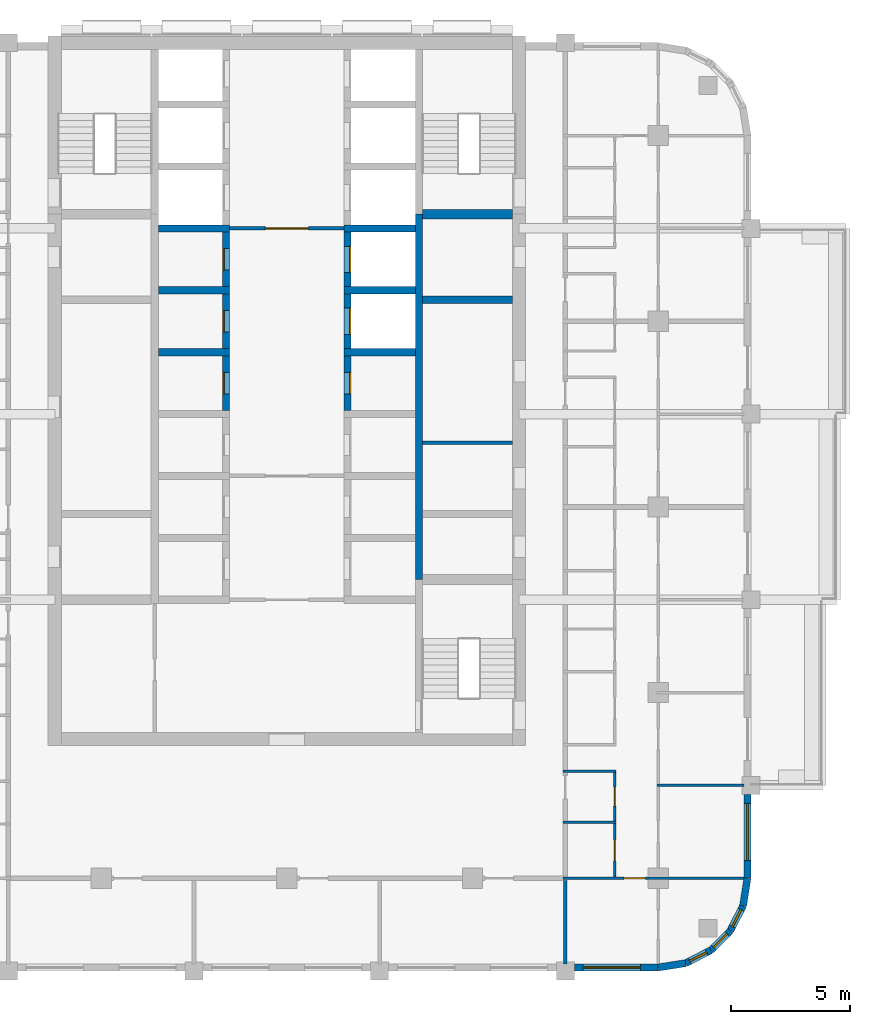
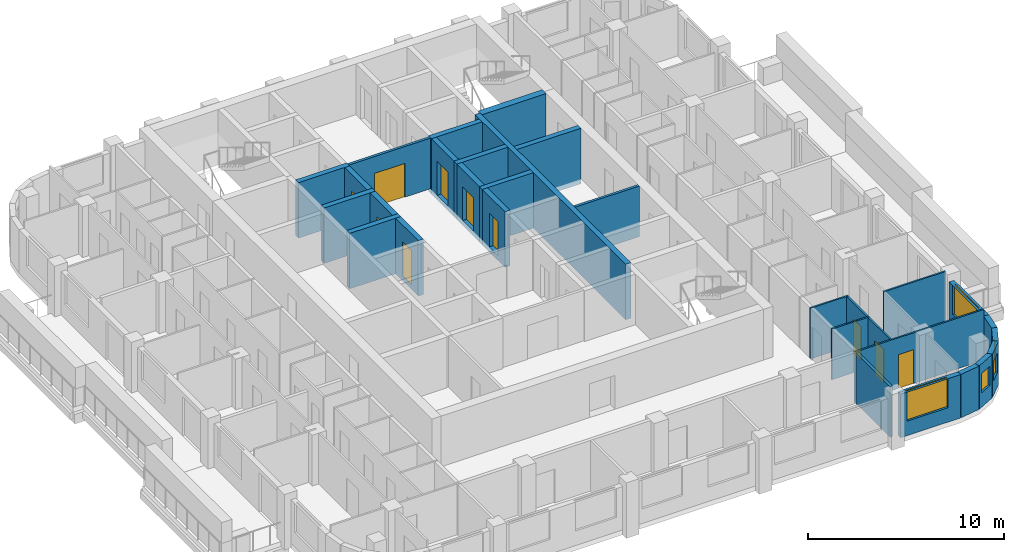
# One storey, part 5 of 13: 30 walls, 10 doors, 5 windows, 15 openings.
"""IFC4 building model written with IfcOpenShell, lengths in metres."""

from ifc_helpers import new_model, si_unit, direction, frame, frame_2d, origin, place, context, subcontext, project, spatial, rectangle, extrude, material, layer, layer_set, type_object, element, fill, save


model = new_model("IFC4")

# Units and contexts
model_context = context("Model", 3, precision=1e-05, world=origin(), true_north=direction((0.0, 1.0)))
body_context = subcontext(model_context, "Body", "Model", "MODEL_VIEW")
ifc_project = project(units=[si_unit("LENGTHUNIT", "METRE"), si_unit("AREAUNIT", "SQUARE_METRE"), si_unit("VOLUMEUNIT", "CUBIC_METRE"), si_unit("PLANEANGLEUNIT", "RADIAN"), si_unit("MASSUNIT", "GRAM", prefix="KILO")], contexts=[model_context])

# Site, building, storey
site_placement = place(None, origin())
site = spatial("IfcSite", under=ifc_project, at=site_placement, CompositionType="ELEMENT")
building_placement = place(site_placement, origin())
building = spatial("IfcBuilding", under=site, at=building_placement, Name="Ludao Terraces", CompositionType="ELEMENT")
storey_placement = place(building_placement, frame((0.0, 0.0, 148.60009765625)))
storey = spatial("IfcBuildingStorey", under=building, at=storey_placement, Name="L40", CompositionType="ELEMENT", Elevation=148.60009765625)

# Wall, opening, window
ifc_material_1 = material(Name="Granite cladding", Category="masonry")
ifc_layer_1 = layer(ifc_material_1, 0.0400390625, Category="stone")
ifc_material_2 = material(Name="Mineral wool")
ifc_layer_2 = layer(ifc_material_2, 0.06005859375)
ifc_material_3 = material(Name="Concrete C40", Category="concrete")
ifc_layer_3 = layer(ifc_material_3, 0.199951171875, Category="concrete")
ifc_layer_set_1 = layer_set([ifc_layer_1, ifc_layer_2, ifc_layer_3], Name="ENV Stone-clad wall 300")
wall_type_1 = type_object("IfcWallType", Name="ENV Stone-clad wall 300", PredefinedType="SOLIDWALL", material=ifc_layer_set_1)
wall_1_placement = place(storey_placement, frame((97.074951171875, 45.64990234375, 0.0), z_axis=(0.0, 0.0, 1.0), x_axis=(1.0, 0.0, 0.0)))
wall_1 = element("IfcWall", 1, at=wall_1_placement, inside=storey, type_object=wall_type_1, Name="EW-L40-S5", PredefinedType="SOLIDWALL", context=body_context, shape_type="SweptSolid", body=[
    extrude(rectangle(XDim=3.525146484375, YDim=0.300048828125, at=frame_2d((1.7626953125, 0.0))), origin(), (0.0, 0.0, 1.0), 2.699951171875),
])
opening_1_placement = place(wall_1_placement, frame((0.375, 0.0, 0.89990234375)))
opening_1 = element("IfcOpeningElement", 2, at=opening_1_placement, cuts=wall_1, Name="Opening W1", PredefinedType="OPENING", context=body_context, shape_type="SweptSolid", body=[
    extrude(rectangle(XDim=2.39990234375, YDim=1.800048828125, at=frame_2d((1.199951171875, 0.89990234375))), frame((0.0, 0.16015625, 0.0), z_axis=(0.0, -1.0, 0.0), x_axis=(1.0, 0.0, 0.0)), (0.0, 0.0, 1.0), 0.320068359375),
])
ifc_material_4 = material(Name="Clear glass in aluminium frame", Category="aluminium")
ifc_layer_4 = layer(ifc_material_4, 0.06005859375)
ifc_layer_set_2 = layer_set([ifc_layer_4], Name="ENV Window W1 2400x1800")
window_type_1 = type_object("IfcWindowType", Name="ENV Window W1 2400x1800", PartitioningType="DOUBLE_PANEL_VERTICAL", PredefinedType="WINDOW", material=ifc_layer_set_2)
window_1_placement = place(opening_1_placement, origin())
window_1 = element("IfcWindow", 3, at=window_1_placement, inside=storey, type_object=window_type_1, Name="W-L40-S5-1", OverallHeight=1.800048828125, OverallWidth=2.39990234375, PartitioningType="DOUBLE_PANEL_VERTICAL", PredefinedType="WINDOW", context=body_context, shape_type="SweptSolid", body=[
    extrude(rectangle(XDim=2.39990234375, YDim=1.800048828125, at=frame_2d((1.199951171875, 0.89990234375))), frame((0.0, 0.030029296875, 0.0), z_axis=(0.0, -1.0, 0.0), x_axis=(1.0, 0.0, 0.0)), (0.0, 0.0, 1.0), 0.06005859375),
])
fill(opening_1, window_1)

wall_2_placement = place(storey_placement, frame((104.35009765625, 49.39990234375, 0.0), z_axis=(0.0, 0.0, 1.0), x_axis=(0.0, 1.0, 0.0)))
wall_2 = element("IfcWall", 4, at=wall_2_placement, inside=storey, type_object=wall_type_1, Name="EW-L40-E1", PredefinedType="SOLIDWALL", context=body_context, shape_type="SweptSolid", body=[
    extrude(rectangle(XDim=3.525146484375, YDim=0.300048828125, at=frame_2d((1.7626953125, 0.0))), origin(), (0.0, 0.0, 1.0), 2.699951171875),
])
opening_2_placement = place(wall_2_placement, frame((0.75, 0.0, 0.89990234375)))
opening_2 = element("IfcOpeningElement", 5, at=opening_2_placement, cuts=wall_2, Name="Opening W1", PredefinedType="OPENING", context=body_context, shape_type="SweptSolid", body=[
    extrude(rectangle(XDim=2.39990234375, YDim=1.800048828125, at=frame_2d((1.199951171875, 0.89990234375))), frame((0.0, 0.16015625, 0.0), z_axis=(0.0, -1.0, 0.0), x_axis=(1.0, 0.0, 0.0)), (0.0, 0.0, 1.0), 0.320068359375),
])
window_2_placement = place(opening_2_placement, origin())
window_2 = element("IfcWindow", 6, at=window_2_placement, inside=storey, type_object=window_type_1, Name="W-L40-E1-1", OverallHeight=1.800048828125, OverallWidth=2.39990234375, PartitioningType="DOUBLE_PANEL_VERTICAL", PredefinedType="WINDOW", context=body_context, shape_type="SweptSolid", body=[
    extrude(rectangle(XDim=2.39990234375, YDim=1.800048828125, at=frame_2d((1.199951171875, 0.89990234375))), frame((0.0, 0.030029296875, 0.0), z_axis=(0.0, -1.0, 0.0), x_axis=(1.0, 0.0, 0.0)), (0.0, 0.0, 1.0), 0.06005859375),
])
fill(opening_2, window_2)

# Wall
wall_3_placement = place(storey_placement, frame((100.60009765625, 45.64990234375, 0.0), z_axis=(0.0, 0.0, 1.0), x_axis=(0.987678452879, 0.156496880861, 0.0)))
element("IfcWall", 7, at=wall_3_placement, inside=storey, type_object=wall_type_1, Name="EW-L40-SE1", PredefinedType="SOLIDWALL", context=body_context, shape_type="SweptSolid", body=[
    extrude(rectangle(XDim=1.173095703125, YDim=0.300048828125, at=frame_2d((0.58642578125, 0.0))), origin(), (0.0, 0.0, 1.0), 2.699951171875),
])

# Wall, opening, window
wall_4_placement = place(storey_placement, frame((101.7587890625, 45.83349609375, 0.0), z_axis=(0.0, 0.0, 1.0), x_axis=(0.890988677504, 0.454025524128, 0.0)))
wall_4 = element("IfcWall", 8, at=wall_4_placement, inside=storey, type_object=wall_type_1, Name="EW-L40-SE2", PredefinedType="SOLIDWALL", context=body_context, shape_type="SweptSolid", body=[
    extrude(rectangle(XDim=1.17333984375, YDim=0.300048828125, at=frame_2d((0.586669921875, 0.0))), origin(), (0.0, 0.0, 1.0), 2.699951171875),
])
opening_3_placement = place(wall_4_placement, frame((0.1865234375, 0.0, 0.89990234375)))
opening_3 = element("IfcOpeningElement", 9, at=opening_3_placement, cuts=wall_4, Name="Opening W3", PredefinedType="OPENING", context=body_context, shape_type="SweptSolid", body=[
    extrude(rectangle(XDim=0.800048828125, YDim=1.199951171875, at=frame_2d((0.39990234375, 0.60009765625))), frame((0.0, 0.16015625, 0.0), z_axis=(0.0, -1.0, 0.0), x_axis=(1.0, 0.0, 0.0)), (0.0, 0.0, 1.0), 0.320068359375),
])
ifc_layer_5 = layer(ifc_material_4, 0.06005859375)
ifc_layer_set_3 = layer_set([ifc_layer_5], Name="ENV Window W3 800x1200")
window_type_2 = type_object("IfcWindowType", Name="ENV Window W3 800x1200", PartitioningType="SINGLE_PANEL", PredefinedType="WINDOW", material=ifc_layer_set_3)
window_3_placement = place(opening_3_placement, origin())
window_3 = element("IfcWindow", 10, at=window_3_placement, inside=storey, type_object=window_type_2, Name="W-L40-SE2", OverallHeight=1.199951171875, OverallWidth=0.800048828125, PartitioningType="SINGLE_PANEL", PredefinedType="WINDOW", context=body_context, shape_type="SweptSolid", body=[
    extrude(rectangle(XDim=0.800048828125, YDim=1.199951171875, at=frame_2d((0.39990234375, 0.60009765625))), frame((0.0, 0.030029296875, 0.0), z_axis=(0.0, -1.0, 0.0), x_axis=(1.0, 0.0, 0.0)), (0.0, 0.0, 1.0), 0.06005859375),
])
fill(opening_3, window_3)

wall_5_placement = place(storey_placement, frame((102.80419921875, 46.3662109375, 0.0), z_axis=(0.0, 0.0, 1.0), x_axis=(0.707106781187, 0.707106781187, 0.0)))
wall_5 = element("IfcWall", 11, at=wall_5_placement, inside=storey, type_object=wall_type_1, Name="EW-L40-SE3", PredefinedType="SOLIDWALL", context=body_context, shape_type="SweptSolid", body=[
    extrude(rectangle(XDim=1.173095703125, YDim=0.300048828125, at=frame_2d((0.58642578125, 0.0))), origin(), (0.0, 0.0, 1.0), 2.699951171875),
])
opening_4_placement = place(wall_5_placement, frame((0.1865234375, 0.0, 0.89990234375)))
opening_4 = element("IfcOpeningElement", 12, at=opening_4_placement, cuts=wall_5, Name="Opening W3", PredefinedType="OPENING", context=body_context, shape_type="SweptSolid", body=[
    extrude(rectangle(XDim=0.800048828125, YDim=1.199951171875, at=frame_2d((0.39990234375, 0.60009765625))), frame((0.0, 0.16015625, 0.0), z_axis=(0.0, -1.0, 0.0), x_axis=(1.0, 0.0, 0.0)), (0.0, 0.0, 1.0), 0.320068359375),
])
window_4_placement = place(opening_4_placement, origin())
window_4 = element("IfcWindow", 13, at=window_4_placement, inside=storey, type_object=window_type_2, Name="W-L40-SE3", OverallHeight=1.199951171875, OverallWidth=0.800048828125, PartitioningType="SINGLE_PANEL", PredefinedType="WINDOW", context=body_context, shape_type="SweptSolid", body=[
    extrude(rectangle(XDim=0.800048828125, YDim=1.199951171875, at=frame_2d((0.39990234375, 0.60009765625))), frame((0.0, 0.030029296875, 0.0), z_axis=(0.0, -1.0, 0.0), x_axis=(1.0, 0.0, 0.0)), (0.0, 0.0, 1.0), 0.06005859375),
])
fill(opening_4, window_4)

wall_6_placement = place(storey_placement, frame((103.6337890625, 47.19580078125, 0.0), z_axis=(0.0, 0.0, 1.0), x_axis=(0.454025524128, 0.890988677504, 0.0)))
wall_6 = element("IfcWall", 14, at=wall_6_placement, inside=storey, type_object=wall_type_1, Name="EW-L40-SE4", PredefinedType="SOLIDWALL", context=body_context, shape_type="SweptSolid", body=[
    extrude(rectangle(XDim=1.17333984375, YDim=0.300048828125, at=frame_2d((0.586669921875, 0.0))), origin(), (0.0, 0.0, 1.0), 2.699951171875),
])
opening_5_placement = place(wall_6_placement, frame((0.1865234375, 0.0, 0.89990234375)))
opening_5 = element("IfcOpeningElement", 15, at=opening_5_placement, cuts=wall_6, Name="Opening W3", PredefinedType="OPENING", context=body_context, shape_type="SweptSolid", body=[
    extrude(rectangle(XDim=0.800048828125, YDim=1.199951171875, at=frame_2d((0.39990234375, 0.60009765625))), frame((0.0, 0.16015625, 0.0), z_axis=(0.0, -1.0, 0.0), x_axis=(1.0, 0.0, 0.0)), (0.0, 0.0, 1.0), 0.320068359375),
])
window_5_placement = place(opening_5_placement, origin())
window_5 = element("IfcWindow", 16, at=window_5_placement, inside=storey, type_object=window_type_2, Name="W-L40-SE4", OverallHeight=1.199951171875, OverallWidth=0.800048828125, PartitioningType="SINGLE_PANEL", PredefinedType="WINDOW", context=body_context, shape_type="SweptSolid", body=[
    extrude(rectangle(XDim=0.800048828125, YDim=1.199951171875, at=frame_2d((0.39990234375, 0.60009765625))), frame((0.0, 0.030029296875, 0.0), z_axis=(0.0, -1.0, 0.0), x_axis=(1.0, 0.0, 0.0)), (0.0, 0.0, 1.0), 0.06005859375),
])
fill(opening_5, window_5)

# Walls
wall_7_placement = place(storey_placement, frame((104.16650390625, 48.2412109375, 0.0), z_axis=(0.0, 0.0, 1.0), x_axis=(0.156496880861, 0.987678452879, 0.0)))
element("IfcWall", 17, at=wall_7_placement, inside=storey, type_object=wall_type_1, Name="EW-L40-SE5", PredefinedType="SOLIDWALL", context=body_context, shape_type="SweptSolid", body=[
    extrude(rectangle(XDim=1.173095703125, YDim=0.300048828125, at=frame_2d((0.58642578125, 0.0))), origin(), (0.0, 0.0, 1.0), 2.699951171875),
])
ifc_material_5 = material(Name="Fire-rated gypsum plasterboard", Category="gypsum")
ifc_layer_6 = layer(ifc_material_5, 0.012451171875, Category="gypsum")
ifc_layer_7 = layer(ifc_material_2, 0.10009765625, Name="insulation")
ifc_material_6 = material(Name="Steel Q235", Category="steel")
ifc_layer_8 = layer(ifc_material_6, 0.02490234375, Name="stud")
ifc_layer_9 = layer(ifc_material_5, 0.012451171875, Category="gypsum")
ifc_layer_set_4 = layer_set([ifc_layer_6, ifc_layer_7, ifc_layer_8, ifc_layer_9], Name="INT Core partition 150")
wall_type_2 = type_object("IfcWallType", Name="INT Core partition 150", PredefinedType="PARTITIONING", material=ifc_layer_set_4)
wall_8_placement = place(storey_placement, frame((90.7001953125, 67.699951171875, 0.0), z_axis=(0.0, 0.0, 1.0), x_axis=(1.0, 0.0, 0.0)))
element("IfcWall", 18, at=wall_8_placement, inside=storey, type_object=wall_type_2, Name="PW-L40-PW027", PredefinedType="PARTITIONING", context=body_context, shape_type="SweptSolid", body=[
    extrude(rectangle(XDim=3.77490234375, YDim=0.14990234375, at=frame_2d((1.887451171875, 0.0))), origin(), (0.0, 0.0, 1.0), 3.14990234375),
])

# Wall, opening, door
wall_9_placement = place(storey_placement, frame((82.60009765625, 76.699951171875, 0.0), z_axis=(0.0, 0.0, 1.0), x_axis=(1.0, 0.0, 0.0)))
wall_9 = element("IfcWall", 19, at=wall_9_placement, inside=storey, type_object=wall_type_2, Name="PW-L40-PW040", PredefinedType="PARTITIONING", context=body_context, shape_type="SweptSolid", body=[
    extrude(rectangle(XDim=4.800048828125, YDim=0.14990234375, at=frame_2d((2.39990234375, 0.0))), origin(), (0.0, 0.0, 1.0), 3.14990234375),
])
opening_6_placement = place(wall_9_placement, frame((1.5, 0.0, 0.0)))
opening_6 = element("IfcOpeningElement", 20, at=opening_6_placement, cuts=wall_9, Name="Opening R14-074", PredefinedType="OPENING", context=body_context, shape_type="SweptSolid", body=[
    extrude(rectangle(XDim=1.800048828125, YDim=2.10009765625, at=frame_2d((0.89990234375, 1.050048828125))), frame((0.0, 0.0849609375, 0.0), z_axis=(0.0, -1.0, 0.0), x_axis=(1.0, 0.0, 0.0)), (0.0, 0.0, 1.0), 0.169921875),
])
door_type_1 = type_object("IfcDoorType", Name="INT Fire lobby door 1800", OperationType="DOUBLE_DOOR_SINGLE_SWING", PredefinedType="DOOR", material=ifc_material_6)
door_1_placement = place(opening_6_placement, origin())
door_1 = element("IfcDoor", 21, at=door_1_placement, inside=storey, type_object=door_type_1, Name="DOOR 074", OperationType="DOUBLE_DOOR_SINGLE_SWING", OverallHeight=2.10009765625, OverallWidth=1.800048828125, PredefinedType="DOOR", context=body_context, shape_type="SweptSolid", body=[
    extrude(rectangle(XDim=1.800048828125, YDim=2.10009765625, at=frame_2d((0.89990234375, 1.050048828125))), frame((0.0, 0.02490234375, 0.0), z_axis=(0.0, -1.0, 0.0), x_axis=(1.0, 0.0, 0.0)), (0.0, 0.0, 1.0), 0.050048828125),
])
fill(opening_6, door_1)

ifc_material_7 = material(Name="Gypsum plasterboard", Category="gypsum")
ifc_layer_10 = layer(ifc_material_7, 0.012451171875, Category="gypsum")
ifc_layer_11 = layer(ifc_material_2, 0.06005859375, Name="insulation")
ifc_layer_12 = layer(ifc_material_6, 0.014892578125, Name="stud")
ifc_layer_13 = layer(ifc_material_7, 0.012451171875, Category="gypsum")
ifc_layer_set_5 = layer_set([ifc_layer_10, ifc_layer_11, ifc_layer_12, ifc_layer_13], Name="INT Partition 100")
wall_type_3 = type_object("IfcWallType", Name="INT Partition 100", PredefinedType="PARTITIONING", material=ifc_layer_set_5)
wall_10_placement = place(storey_placement, frame((96.60009765625, 49.39990234375, 0.0), z_axis=(0.0, 0.0, 1.0), x_axis=(1.0, 0.0, 0.0)))
wall_10 = element("IfcWall", 22, at=wall_10_placement, inside=storey, type_object=wall_type_3, Name="PW-L40-PW002", PredefinedType="PARTITIONING", context=body_context, shape_type="SweptSolid", body=[
    extrude(rectangle(XDim=7.60009765625, YDim=0.10009765625, at=frame_2d((3.800048828125, 0.0))), origin(), (0.0, 0.0, 1.0), 3.14990234375),
])
opening_7_placement = place(wall_10_placement, frame((2.56005859375, 0.0, 0.0)))
opening_7 = element("IfcOpeningElement", 23, at=opening_7_placement, cuts=wall_10, Name="Opening R14-007", PredefinedType="OPENING", context=body_context, shape_type="SweptSolid", body=[
    extrude(rectangle(XDim=0.89990234375, YDim=2.10009765625, at=frame_2d((0.449951171875, 1.050048828125))), frame((0.0, 0.06005859375, 0.0), z_axis=(0.0, -1.0, 0.0), x_axis=(1.0, 0.0, 0.0)), (0.0, 0.0, 1.0), 0.1201171875),
])
ifc_material_8 = material(Name="Timber door leaf", Category="wood")
door_type_2 = type_object("IfcDoorType", Name="INT Room door 900", OperationType="SINGLE_SWING_LEFT", PredefinedType="DOOR", material=ifc_material_8)
door_2_placement = place(opening_7_placement, origin())
door_2 = element("IfcDoor", 24, at=door_2_placement, inside=storey, type_object=door_type_2, Name="DOOR 007", OperationType="SINGLE_SWING_LEFT", OverallHeight=2.10009765625, OverallWidth=0.89990234375, PredefinedType="DOOR", context=body_context, shape_type="SweptSolid", body=[
    extrude(rectangle(XDim=0.89990234375, YDim=2.10009765625, at=frame_2d((0.449951171875, 1.050048828125))), frame((0.0, 0.02490234375, 0.0), z_axis=(0.0, -1.0, 0.0), x_axis=(1.0, 0.0, 0.0)), (0.0, 0.0, 1.0), 0.050048828125),
])
fill(opening_7, door_2)

# Walls
wall_11_placement = place(storey_placement, frame((96.60009765625, 51.75, 0.0), z_axis=(0.0, 0.0, 1.0), x_axis=(1.0, 0.0, 0.0)))
element("IfcWall", 25, at=wall_11_placement, inside=storey, type_object=wall_type_3, Name="PW-L40-PW004", PredefinedType="PARTITIONING", context=body_context, shape_type="SweptSolid", body=[
    extrude(rectangle(XDim=2.219970703125, YDim=0.10009765625, at=frame_2d((1.10986328125, 0.0))), origin(), (0.0, 0.0, 1.0), 3.14990234375),
])
wall_12_placement = place(storey_placement, frame((100.550048828125, 53.300048828125, 0.0), z_axis=(0.0, 0.0, 1.0), x_axis=(1.0, 0.0, 0.0)))
element("IfcWall", 26, at=wall_12_placement, inside=storey, type_object=wall_type_3, Name="PW-L40-PW005", PredefinedType="PARTITIONING", context=body_context, shape_type="SweptSolid", body=[
    extrude(rectangle(XDim=3.650146484375, YDim=0.10009765625, at=frame_2d((1.8251953125, 0.0))), origin(), (0.0, 0.0, 1.0), 3.14990234375),
])
wall_13_placement = place(storey_placement, frame((96.60009765625, 53.89990234375, 0.0), z_axis=(0.0, 0.0, 1.0), x_axis=(1.0, 0.0, 0.0)))
element("IfcWall", 27, at=wall_13_placement, inside=storey, type_object=wall_type_3, Name="PW-L40-PW007", PredefinedType="PARTITIONING", context=body_context, shape_type="SweptSolid", body=[
    extrude(rectangle(XDim=2.219970703125, YDim=0.10009765625, at=frame_2d((1.10986328125, 0.0))), origin(), (0.0, 0.0, 1.0), 3.14990234375),
])

# Wall, openings, doors
wall_14_placement = place(storey_placement, frame((98.77001953125, 49.4501953125, 0.0), z_axis=(0.0, 0.0, 1.0), x_axis=(0.0, 1.0, 0.0)))
wall_14 = element("IfcWall", 28, at=wall_14_placement, inside=storey, type_object=wall_type_3, Name="PW-L40-PW060", PredefinedType="PARTITIONING", context=body_context, shape_type="SweptSolid", body=[
    extrude(rectangle(XDim=4.39990234375, YDim=0.10009765625, at=frame_2d((2.199951171875, 0.0))), origin(), (0.0, 0.0, 1.0), 3.14990234375),
])
opening_8_placement = place(wall_14_placement, frame((0.6748046875, 0.0, 0.0)))
opening_8 = element("IfcOpeningElement", 29, at=opening_8_placement, cuts=wall_14, Name="Opening R14-009", PredefinedType="OPENING", context=body_context, shape_type="SweptSolid", body=[
    extrude(rectangle(XDim=0.89990234375, YDim=2.10009765625, at=frame_2d((0.449951171875, 1.050048828125))), frame((0.0, 0.06005859375, 0.0), z_axis=(0.0, -1.0, 0.0), x_axis=(1.0, 0.0, 0.0)), (0.0, 0.0, 1.0), 0.1201171875),
])
opening_9_placement = place(wall_14_placement, frame((2.974853515625, 0.0, 0.0)))
opening_9 = element("IfcOpeningElement", 30, at=opening_9_placement, cuts=wall_14, Name="Opening R14-012", PredefinedType="OPENING", context=body_context, shape_type="SweptSolid", body=[
    extrude(rectangle(XDim=0.800048828125, YDim=2.10009765625, at=frame_2d((0.39990234375, 1.050048828125))), frame((0.0, 0.06005859375, 0.0), z_axis=(0.0, -1.0, 0.0), x_axis=(1.0, 0.0, 0.0)), (0.0, 0.0, 1.0), 0.1201171875),
])
door_type_3 = type_object("IfcDoorType", Name="INT Bathroom door 900", OperationType="SINGLE_SWING_LEFT", PredefinedType="DOOR", material=ifc_material_8)
door_3_placement = place(opening_8_placement, origin())
door_3 = element("IfcDoor", 31, at=door_3_placement, inside=storey, type_object=door_type_3, Name="DOOR 009", OperationType="SINGLE_SWING_LEFT", OverallHeight=2.10009765625, OverallWidth=0.89990234375, PredefinedType="DOOR", context=body_context, shape_type="SweptSolid", body=[
    extrude(rectangle(XDim=0.89990234375, YDim=2.10009765625, at=frame_2d((0.449951171875, 1.050048828125))), frame((0.0, 0.02490234375, 0.0), z_axis=(0.0, -1.0, 0.0), x_axis=(1.0, 0.0, 0.0)), (0.0, 0.0, 1.0), 0.050048828125),
])
fill(opening_8, door_3)
door_type_4 = type_object("IfcDoorType", Name="INT Store door 800", OperationType="SINGLE_SWING_LEFT", PredefinedType="DOOR", material=ifc_material_8)
door_4_placement = place(opening_9_placement, origin())
door_4 = element("IfcDoor", 32, at=door_4_placement, inside=storey, type_object=door_type_4, Name="DOOR 012", OperationType="SINGLE_SWING_LEFT", OverallHeight=2.10009765625, OverallWidth=0.800048828125, PredefinedType="DOOR", context=body_context, shape_type="SweptSolid", body=[
    extrude(rectangle(XDim=0.800048828125, YDim=2.10009765625, at=frame_2d((0.39990234375, 1.050048828125))), frame((0.0, 0.02490234375, 0.0), z_axis=(0.0, -1.0, 0.0), x_axis=(1.0, 0.0, 0.0)), (0.0, 0.0, 1.0), 0.050048828125),
])
fill(opening_9, door_4)

# Walls
ifc_material_9 = material(Name="Autoclaved aerated concrete block B06 A3.5", Category="concrete")
ifc_layer_14 = layer(ifc_material_9, 0.14990234375)
ifc_layer_set_6 = layer_set([ifc_layer_14], Name="INT Party wall 150")
wall_type_4 = type_object("IfcWallType", Name="INT Party wall 150", PredefinedType="PARTITIONING", material=ifc_layer_set_6)
wall_15_placement = place(storey_placement, frame((96.699951171875, 45.800048828125, 0.0), z_axis=(0.0, 0.0, 1.0), x_axis=(0.0, 1.0, 0.0)))
element("IfcWall", 33, at=wall_15_placement, inside=storey, type_object=wall_type_4, Name="PW-L40-PW058", PredefinedType="PARTITIONING", context=body_context, shape_type="SweptSolid", body=[
    extrude(rectangle(XDim=3.5, YDim=0.14990234375, at=frame_2d((1.75, 0.0))), origin(), (0.0, 0.0, 1.0), 3.14990234375),
])
ifc_material_10 = material(Name="Concrete C55", Category="concrete")
ifc_layer_15 = layer(ifc_material_10, 0.300048828125)
ifc_layer_set_7 = layer_set([ifc_layer_15], Name="Shaft wall 300 C55")
wall_type_5 = type_object("IfcWallType", Name="Shaft wall 300 C55", PredefinedType="SOLIDWALL", material=ifc_layer_set_7)
wall_16_placement = place(storey_placement, frame((90.550048828125, 61.949951171875, -0.300048828125), z_axis=(0.0, 0.0, 1.0), x_axis=(0.0, 1.0, 0.0)))
element("IfcWall", 34, at=wall_16_placement, inside=storey, type_object=wall_type_5, Name="Core wall L40 back-E", PredefinedType="SOLIDWALL", context=body_context, shape_type="SweptSolid", body=[
    extrude(rectangle(XDim=15.35009765625, YDim=0.300048828125, at=frame_2d((7.675048828125, 0.0))), origin(), (0.0, 0.0, 1.0), 3.449951171875),
])

# Wall, opening, door
wall_17_placement = place(storey_placement, frame((82.449951171875, 69.050048828125, -0.300048828125), z_axis=(0.0, 0.0, 1.0), x_axis=(0.0, 1.0, 0.0)))
wall_17 = element("IfcWall", 35, at=wall_17_placement, inside=storey, type_object=wall_type_5, Name="Core wall L40 front-W4", PredefinedType="SOLIDWALL", context=body_context, shape_type="SweptSolid", body=[
    extrude(rectangle(XDim=2.300048828125, YDim=0.300048828125, at=frame_2d((1.14990234375, 0.0))), origin(), (0.0, 0.0, 1.0), 3.449951171875),
])
opening_10_placement = place(wall_17_placement, frame((0.699951171875, 0.0, 0.300048828125)))
opening_10 = element("IfcOpeningElement", 36, at=opening_10_placement, cuts=wall_17, Name="Opening R14-053", PredefinedType="OPENING", context=body_context, shape_type="SweptSolid", body=[
    extrude(rectangle(XDim=0.89990234375, YDim=2.10009765625, at=frame_2d((0.449951171875, 1.050048828125))), frame((0.0, 0.16015625, 0.0), z_axis=(0.0, -1.0, 0.0), x_axis=(1.0, 0.0, 0.0)), (0.0, 0.0, 1.0), 0.320068359375),
])
door_5_placement = place(opening_10_placement, origin())
door_5 = element("IfcDoor", 37, at=door_5_placement, inside=storey, type_object=door_type_2, Name="DOOR 053", OperationType="SINGLE_SWING_LEFT", OverallHeight=2.10009765625, OverallWidth=0.89990234375, PredefinedType="DOOR", context=body_context, shape_type="SweptSolid", body=[
    extrude(rectangle(XDim=0.89990234375, YDim=2.10009765625, at=frame_2d((0.449951171875, 1.050048828125))), frame((0.0, 0.13525390625, 0.0), z_axis=(0.0, -1.0, 0.0), x_axis=(1.0, 0.0, 0.0)), (0.0, 0.0, 1.0), 0.050048828125),
])
fill(opening_10, door_5)

# Wall
wall_18_placement = place(storey_placement, frame((79.60009765625, 71.5, -0.300048828125), z_axis=(0.0, 0.0, 1.0), x_axis=(1.0, 0.0, 0.0)))
element("IfcWall", 38, at=wall_18_placement, inside=storey, type_object=wall_type_5, Name="Core wall L40 div-W5", PredefinedType="SOLIDWALL", context=body_context, shape_type="SweptSolid", body=[
    extrude(rectangle(XDim=3.0, YDim=0.300048828125, at=frame_2d((1.5, 0.0))), origin(), (0.0, 0.0, 1.0), 3.449951171875),
])

# Wall, opening, door
wall_19_placement = place(storey_placement, frame((82.449951171875, 71.64990234375, -0.300048828125), z_axis=(0.0, 0.0, 1.0), x_axis=(0.0, 1.0, 0.0)))
wall_19 = element("IfcWall", 39, at=wall_19_placement, inside=storey, type_object=wall_type_5, Name="Core wall L40 front-W5", PredefinedType="SOLIDWALL", context=body_context, shape_type="SweptSolid", body=[
    extrude(rectangle(XDim=2.300048828125, YDim=0.300048828125, at=frame_2d((1.14990234375, 0.0))), origin(), (0.0, 0.0, 1.0), 3.449951171875),
])
opening_11_placement = place(wall_19_placement, frame((0.699951171875, 0.0, 0.300048828125)))
opening_11 = element("IfcOpeningElement", 40, at=opening_11_placement, cuts=wall_19, Name="Opening R14-060", PredefinedType="OPENING", context=body_context, shape_type="SweptSolid", body=[
    extrude(rectangle(XDim=0.89990234375, YDim=2.10009765625, at=frame_2d((0.449951171875, 1.050048828125))), frame((0.0, 0.16015625, 0.0), z_axis=(0.0, -1.0, 0.0), x_axis=(1.0, 0.0, 0.0)), (0.0, 0.0, 1.0), 0.320068359375),
])
door_6_placement = place(opening_11_placement, origin())
door_6 = element("IfcDoor", 41, at=door_6_placement, inside=storey, type_object=door_type_2, Name="DOOR 060", OperationType="SINGLE_SWING_LEFT", OverallHeight=2.10009765625, OverallWidth=0.89990234375, PredefinedType="DOOR", context=body_context, shape_type="SweptSolid", body=[
    extrude(rectangle(XDim=0.89990234375, YDim=2.10009765625, at=frame_2d((0.449951171875, 1.050048828125))), frame((0.0, 0.13525390625, 0.0), z_axis=(0.0, -1.0, 0.0), x_axis=(1.0, 0.0, 0.0)), (0.0, 0.0, 1.0), 0.050048828125),
])
fill(opening_11, door_6)

# Wall
wall_20_placement = place(storey_placement, frame((79.60009765625, 74.10009765625, -0.300048828125), z_axis=(0.0, 0.0, 1.0), x_axis=(1.0, 0.0, 0.0)))
element("IfcWall", 42, at=wall_20_placement, inside=storey, type_object=wall_type_5, Name="Core wall L40 div-W6", PredefinedType="SOLIDWALL", context=body_context, shape_type="SweptSolid", body=[
    extrude(rectangle(XDim=3.0, YDim=0.300048828125, at=frame_2d((1.5, 0.0))), origin(), (0.0, 0.0, 1.0), 3.449951171875),
])

# Wall, opening, door
wall_21_placement = place(storey_placement, frame((82.449951171875, 74.25, -0.300048828125), z_axis=(0.0, 0.0, 1.0), x_axis=(0.0, 1.0, 0.0)))
wall_21 = element("IfcWall", 43, at=wall_21_placement, inside=storey, type_object=wall_type_5, Name="Core wall L40 front-W6", PredefinedType="SOLIDWALL", context=body_context, shape_type="SweptSolid", body=[
    extrude(rectangle(XDim=2.300048828125, YDim=0.300048828125, at=frame_2d((1.14990234375, 0.0))), origin(), (0.0, 0.0, 1.0), 3.449951171875),
])
opening_12_placement = place(wall_21_placement, frame((0.699951171875, 0.0, 0.300048828125)))
opening_12 = element("IfcOpeningElement", 44, at=opening_12_placement, cuts=wall_21, Name="Opening R14-067", PredefinedType="OPENING", context=body_context, shape_type="SweptSolid", body=[
    extrude(rectangle(XDim=0.89990234375, YDim=2.10009765625, at=frame_2d((0.449951171875, 1.050048828125))), frame((0.0, 0.16015625, 0.0), z_axis=(0.0, -1.0, 0.0), x_axis=(1.0, 0.0, 0.0)), (0.0, 0.0, 1.0), 0.320068359375),
])
door_7_placement = place(opening_12_placement, origin())
door_7 = element("IfcDoor", 45, at=door_7_placement, inside=storey, type_object=door_type_2, Name="DOOR 067", OperationType="SINGLE_SWING_RIGHT", OverallHeight=2.10009765625, OverallWidth=0.89990234375, PredefinedType="DOOR", context=body_context, shape_type="SweptSolid", body=[
    extrude(rectangle(XDim=0.89990234375, YDim=2.10009765625, at=frame_2d((0.449951171875, 1.050048828125))), frame((0.0, 0.13525390625, 0.0), z_axis=(0.0, -1.0, 0.0), x_axis=(1.0, 0.0, 0.0)), (0.0, 0.0, 1.0), 0.050048828125),
])
fill(opening_12, door_7)

# Wall
wall_22_placement = place(storey_placement, frame((79.60009765625, 76.699951171875, -0.300048828125), z_axis=(0.0, 0.0, 1.0), x_axis=(1.0, 0.0, 0.0)))
element("IfcWall", 46, at=wall_22_placement, inside=storey, type_object=wall_type_5, Name="Core wall L40 div-W7", PredefinedType="SOLIDWALL", context=body_context, shape_type="SweptSolid", body=[
    extrude(rectangle(XDim=3.0, YDim=0.300048828125, at=frame_2d((1.5, 0.0))), origin(), (0.0, 0.0, 1.0), 3.449951171875),
])

# Wall, opening, door
wall_23_placement = place(storey_placement, frame((87.550048828125, 69.050048828125, -0.300048828125), z_axis=(0.0, 0.0, 1.0), x_axis=(0.0, 1.0, 0.0)))
wall_23 = element("IfcWall", 47, at=wall_23_placement, inside=storey, type_object=wall_type_5, Name="Core wall L40 front-E4", PredefinedType="SOLIDWALL", context=body_context, shape_type="SweptSolid", body=[
    extrude(rectangle(XDim=2.300048828125, YDim=0.300048828125, at=frame_2d((1.14990234375, 0.0))), origin(), (0.0, 0.0, 1.0), 3.449951171875),
])
opening_13_placement = place(wall_23_placement, frame((0.699951171875, 0.0, 0.300048828125)))
opening_13 = element("IfcOpeningElement", 48, at=opening_13_placement, cuts=wall_23, Name="Opening R14-054", PredefinedType="OPENING", context=body_context, shape_type="SweptSolid", body=[
    extrude(rectangle(XDim=0.89990234375, YDim=2.10009765625, at=frame_2d((0.449951171875, 1.050048828125))), frame((0.0, 0.16015625, 0.0), z_axis=(0.0, -1.0, 0.0), x_axis=(1.0, 0.0, 0.0)), (0.0, 0.0, 1.0), 0.320068359375),
])
door_8_placement = place(opening_13_placement, origin())
door_8 = element("IfcDoor", 49, at=door_8_placement, inside=storey, type_object=door_type_2, Name="DOOR 054", OperationType="SINGLE_SWING_RIGHT", OverallHeight=2.10009765625, OverallWidth=0.89990234375, PredefinedType="DOOR", context=body_context, shape_type="SweptSolid", body=[
    extrude(rectangle(XDim=0.89990234375, YDim=2.10009765625, at=frame_2d((0.449951171875, 1.050048828125))), frame((0.0, -0.0849609375, 0.0), z_axis=(0.0, -1.0, 0.0), x_axis=(1.0, 0.0, 0.0)), (0.0, 0.0, 1.0), 0.050048828125),
])
fill(opening_13, door_8)

# Wall
wall_24_placement = place(storey_placement, frame((87.39990234375, 71.5, -0.300048828125), z_axis=(0.0, 0.0, 1.0), x_axis=(1.0, 0.0, 0.0)))
element("IfcWall", 50, at=wall_24_placement, inside=storey, type_object=wall_type_5, Name="Core wall L40 div-E5", PredefinedType="SOLIDWALL", context=body_context, shape_type="SweptSolid", body=[
    extrude(rectangle(XDim=3.0, YDim=0.300048828125, at=frame_2d((1.5, 0.0))), origin(), (0.0, 0.0, 1.0), 3.449951171875),
])

# Wall, opening, door
wall_25_placement = place(storey_placement, frame((87.550048828125, 71.64990234375, -0.300048828125), z_axis=(0.0, 0.0, 1.0), x_axis=(0.0, 1.0, 0.0)))
wall_25 = element("IfcWall", 51, at=wall_25_placement, inside=storey, type_object=wall_type_5, Name="Core wall L40 front-E5", PredefinedType="SOLIDWALL", context=body_context, shape_type="SweptSolid", body=[
    extrude(rectangle(XDim=2.300048828125, YDim=0.300048828125, at=frame_2d((1.14990234375, 0.0))), origin(), (0.0, 0.0, 1.0), 3.449951171875),
])
opening_14_placement = place(wall_25_placement, frame((0.60009765625, 0.0, 0.300048828125)))
opening_14 = element("IfcOpeningElement", 52, at=opening_14_placement, cuts=wall_25, Name="Opening LD-LB1", PredefinedType="OPENING", context=body_context, shape_type="SweptSolid", body=[
    extrude(rectangle(XDim=1.10009765625, YDim=2.10009765625, at=frame_2d((0.550048828125, 1.050048828125))), frame((0.0, 0.16015625, 0.0), z_axis=(0.0, -1.0, 0.0), x_axis=(1.0, 0.0, 0.0)), (0.0, 0.0, 1.0), 0.320068359375),
])
ifc_material_11 = material(Name="Stainless steel 304", Category="steel")
door_type_5 = type_object("IfcDoorType", Name="INT Lift landing door 1100", OperationType="SLIDING_TO_LEFT", PredefinedType="DOOR", material=ifc_material_11)
door_9_placement = place(opening_14_placement, origin())
door_9 = element("IfcDoor", 53, at=door_9_placement, inside=storey, type_object=door_type_5, Name="LANDING DOOR LB1 L40", OperationType="SLIDING_TO_LEFT", OverallHeight=2.10009765625, OverallWidth=1.10009765625, PredefinedType="DOOR", context=body_context, shape_type="SweptSolid", body=[
    extrude(rectangle(XDim=1.10009765625, YDim=2.10009765625, at=frame_2d((0.550048828125, 1.050048828125))), frame((0.0, -0.0849609375, 0.0), z_axis=(0.0, -1.0, 0.0), x_axis=(1.0, 0.0, 0.0)), (0.0, 0.0, 1.0), 0.050048828125),
])
fill(opening_14, door_9)

# Wall
wall_26_placement = place(storey_placement, frame((87.39990234375, 74.10009765625, -0.300048828125), z_axis=(0.0, 0.0, 1.0), x_axis=(1.0, 0.0, 0.0)))
element("IfcWall", 54, at=wall_26_placement, inside=storey, type_object=wall_type_5, Name="Core wall L40 div-E6", PredefinedType="SOLIDWALL", context=body_context, shape_type="SweptSolid", body=[
    extrude(rectangle(XDim=3.0, YDim=0.300048828125, at=frame_2d((1.5, 0.0))), origin(), (0.0, 0.0, 1.0), 3.449951171875),
])

# Wall, opening, door
wall_27_placement = place(storey_placement, frame((87.550048828125, 74.25, -0.300048828125), z_axis=(0.0, 0.0, 1.0), x_axis=(0.0, 1.0, 0.0)))
wall_27 = element("IfcWall", 55, at=wall_27_placement, inside=storey, type_object=wall_type_5, Name="Core wall L40 front-E6", PredefinedType="SOLIDWALL", context=body_context, shape_type="SweptSolid", body=[
    extrude(rectangle(XDim=2.300048828125, YDim=0.300048828125, at=frame_2d((1.14990234375, 0.0))), origin(), (0.0, 0.0, 1.0), 3.449951171875),
])
opening_15_placement = place(wall_27_placement, frame((0.60009765625, 0.0, 0.300048828125)))
opening_15 = element("IfcOpeningElement", 56, at=opening_15_placement, cuts=wall_27, Name="Opening LD-LB2", PredefinedType="OPENING", context=body_context, shape_type="SweptSolid", body=[
    extrude(rectangle(XDim=1.10009765625, YDim=2.10009765625, at=frame_2d((0.550048828125, 1.050048828125))), frame((0.0, 0.16015625, 0.0), z_axis=(0.0, -1.0, 0.0), x_axis=(1.0, 0.0, 0.0)), (0.0, 0.0, 1.0), 0.320068359375),
])
door_10_placement = place(opening_15_placement, origin())
door_10 = element("IfcDoor", 57, at=door_10_placement, inside=storey, type_object=door_type_5, Name="LANDING DOOR LB2 L40", OperationType="SLIDING_TO_LEFT", OverallHeight=2.10009765625, OverallWidth=1.10009765625, PredefinedType="DOOR", context=body_context, shape_type="SweptSolid", body=[
    extrude(rectangle(XDim=1.10009765625, YDim=2.10009765625, at=frame_2d((0.550048828125, 1.050048828125))), frame((0.0, -0.0849609375, 0.0), z_axis=(0.0, -1.0, 0.0), x_axis=(1.0, 0.0, 0.0)), (0.0, 0.0, 1.0), 0.050048828125),
])
fill(opening_15, door_10)

# Walls
wall_28_placement = place(storey_placement, frame((87.39990234375, 76.699951171875, -0.300048828125), z_axis=(0.0, 0.0, 1.0), x_axis=(1.0, 0.0, 0.0)))
element("IfcWall", 58, at=wall_28_placement, inside=storey, type_object=wall_type_5, Name="Core wall L40 div-E7", PredefinedType="SOLIDWALL", context=body_context, shape_type="SweptSolid", body=[
    extrude(rectangle(XDim=3.0, YDim=0.300048828125, at=frame_2d((1.5, 0.0))), origin(), (0.0, 0.0, 1.0), 3.449951171875),
])
wall_29_placement = place(storey_placement, frame((90.699951171875, 73.699951171875, -0.300048828125), z_axis=(0.0, 0.0, 1.0), x_axis=(1.0, 0.0, 0.0)))
element("IfcWall", 59, at=wall_29_placement, inside=storey, type_object=wall_type_5, Name="Core wall L40 riser-b-E", PredefinedType="SOLIDWALL", context=body_context, shape_type="SweptSolid", body=[
    extrude(rectangle(XDim=3.775146484375, YDim=0.300048828125, at=frame_2d((1.8876953125, 0.0))), origin(), (0.0, 0.0, 1.0), 3.449951171875),
])
ifc_layer_16 = layer(ifc_material_10, 0.39990234375)
ifc_layer_set_8 = layer_set([ifc_layer_16], Name="Shaft wall 400 C55")
wall_type_6 = type_object("IfcWallType", Name="Shaft wall 400 C55", PredefinedType="SOLIDWALL", material=ifc_layer_set_8)
wall_30_placement = place(storey_placement, frame((90.699951171875, 77.300048828125, -0.300048828125), z_axis=(0.0, 0.0, 1.0), x_axis=(1.0, 0.0, 0.0)))
element("IfcWall", 60, at=wall_30_placement, inside=storey, type_object=wall_type_6, Name="Core wall L40 stair-E", PredefinedType="SOLIDWALL", context=body_context, shape_type="SweptSolid", body=[
    extrude(rectangle(XDim=3.775146484375, YDim=0.39990234375, at=frame_2d((1.8876953125, 0.0))), origin(), (0.0, 0.0, 1.0), 3.449951171875),
])

save(model, "model.ifc")
